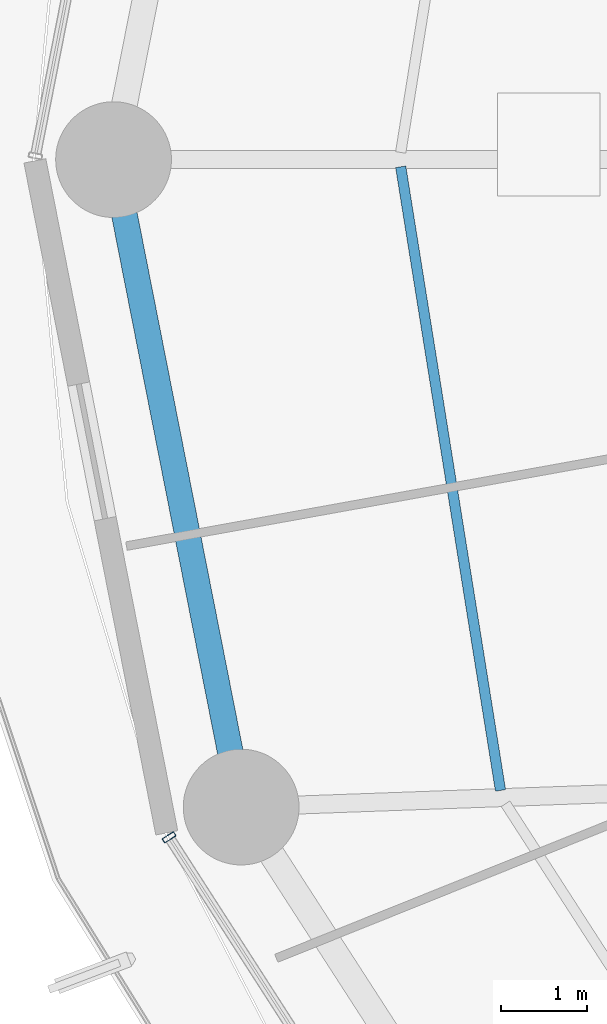
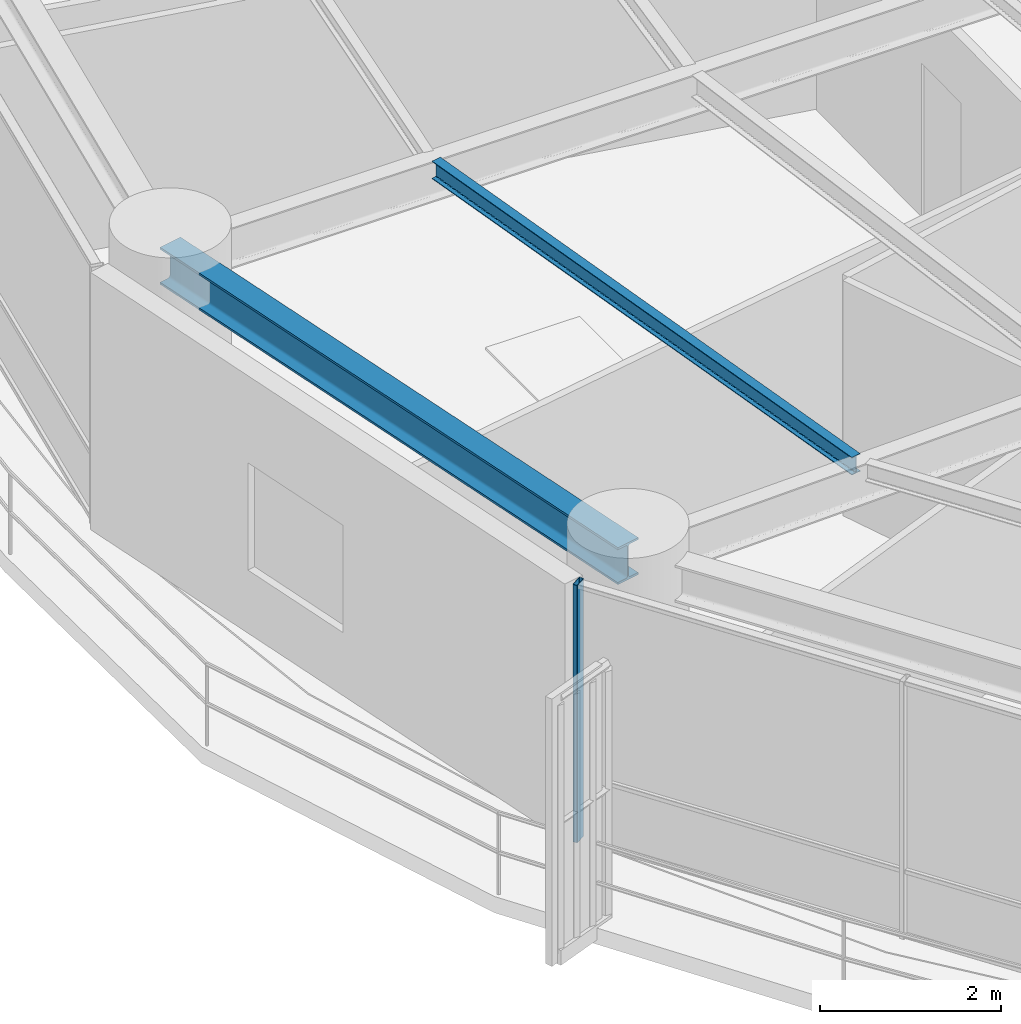
# One storey, part 6 of 35: 2 beams, 1 member, 1 element without a shape of its own.
"""IFC4 building model written with IfcOpenShell, lengths in metres."""

from ifc_helpers import new_model, si_unit, direction, frame, origin, origin_2d, place, context, subcontext, project, spatial, hollow_rectangle, i_section, extrude, material, layer, layer_set, material_profile, profile_set, type_object, element, aggregate, save


model = new_model("IFC4")

# Units and contexts
model_context = context("Model", 3, precision=1e-05, world=origin(), true_north=direction((0.0, 1.0)))
body_context = subcontext(model_context, "Body", "Model", "MODEL_VIEW")
ifc_project = project(units=[si_unit("LENGTHUNIT", "METRE"), si_unit("AREAUNIT", "SQUARE_METRE"), si_unit("VOLUMEUNIT", "CUBIC_METRE"), si_unit("PLANEANGLEUNIT", "RADIAN"), si_unit("MASSUNIT", "GRAM", prefix="KILO")], contexts=[model_context])

# Site, building, storey
site_placement = place(None, origin())
site = spatial("IfcSite", under=ifc_project, at=site_placement, CompositionType="ELEMENT")
building_placement = place(site_placement, origin())
building = spatial("IfcBuilding", under=site, at=building_placement, Name="Kelanora Arch Commons", CompositionType="ELEMENT")
storey_placement = place(building_placement, frame((0.0, 0.0, 117.60009765625)))
storey = spatial("IfcBuildingStorey", under=building, at=storey_placement, Name="L30", CompositionType="ELEMENT", Elevation=117.60009765625)

# Beams
ifc_material_1 = material(Name="Steel S355", Category="steel")
ifc_material_profile_1 = material_profile(ifc_material_1, i_section(OverallWidth=0.1201171875, OverallDepth=0.239990234375, WebThickness=0.006103515625, FlangeThickness=0.009765625, FilletRadius=0.014892578125, at=origin_2d()), Name="IPE240")
ifc_profile_set_1 = profile_set([ifc_material_profile_1], Name="Steel S355")
beam_type_1 = type_object("IfcBeamType", Name="BM-JST-02", PredefinedType="JOIST", material=ifc_profile_set_1)
beam_1_placement = place(storey_placement, frame((52.66943359375, 57.916015625, 3.369873046875), z_axis=(0.157999549894, -0.987439184068, 0.0), x_axis=(0.987439184068, 0.157999549894, 0.0)))
element("IfcBeam", 1, at=beam_1_placement, inside=storey, type_object=beam_type_1, Name="Secondary Chord Joist BJC-18 L30", PredefinedType="JOIST", context=body_context, shape_type="SweptSolid", body=[
    extrude(i_section(OverallWidth=0.1201171875, OverallDepth=0.239990234375, WebThickness=0.006103515625, FlangeThickness=0.009765625, FilletRadius=0.014892578125, at=origin_2d()), origin(), (0.0, 0.0, 1.0), 7.365966796875),
])
ifc_material_profile_2 = material_profile(ifc_material_1, i_section(OverallWidth=0.300048828125, OverallDepth=0.5, WebThickness=0.014404296875, FlangeThickness=0.028076171875, FilletRadius=0.027099609375, at=origin_2d()), Name="HEB500")
ifc_profile_set_2 = profile_set([ifc_material_profile_2], Name="Steel S355")
beam_type_2 = type_object("IfcBeamType", Name="BM-SPN-Z2", PredefinedType="SPANDREL", material=ifc_profile_set_2)
beam_2_placement = place(storey_placement, frame((49.320068359375, 58.0, 3.239990234375), z_axis=(0.19335825777, -0.981128220037, 0.0), x_axis=(0.981128220037, 0.19335825777, 0.0)))
element("IfcBeam", 2, at=beam_2_placement, inside=storey, type_object=beam_type_2, Name="Perimeter Spandrel Beam BS-18 L30", PredefinedType="SPANDREL", context=body_context, shape_type="SweptSolid", body=[
    extrude(i_section(OverallWidth=0.300048828125, OverallDepth=0.5, WebThickness=0.014404296875, FlangeThickness=0.028076171875, FilletRadius=0.027099609375, at=origin_2d()), origin(), (0.0, 0.0, 1.0), 7.697021484375),
])

# Curtain wall, member
ifc_material_2 = material(Name="Terracotta ceramic-fritted low-E glass and aluminium", Category="masonry")
ifc_layer = layer(ifc_material_2, 0.159912109375)
ifc_layer_set = layer_set([ifc_layer], Name="Terracotta ceramic-fritted low-E glass and aluminium")
curtain_wall_type = type_object("IfcCurtainWallType", Name="CW-SYS-01", PredefinedType="NOTDEFINED", material=ifc_layer_set)
curtain_wall_placement = place(storey_placement, origin())
curtain_wall = element("IfcCurtainWall", 3, at=curtain_wall_placement, inside=storey, type_object=curtain_wall_type, Name="Unitised Curtain Wall L30-B10", PredefinedType="NOTDEFINED")
ifc_material_3 = material(Name="Powder-coated aluminium terracotta", Category="masonry")
ifc_material_profile_3 = material_profile(ifc_material_3, hollow_rectangle(XDim=0.159912109375, YDim=0.06005859375, WallThickness=0.0048828125, InnerFilletRadius=0.0048828125, OuterFilletRadius=0.010009765625, at=origin_2d()), Name="CWM160x60")
ifc_profile_set_3 = profile_set([ifc_material_profile_3], Name="Powder-coated aluminium terracotta")
member_type = type_object("IfcMemberType", Name="CWM-STD", PredefinedType="MULLION", material=ifc_profile_set_3)
member_placement = place(storey_placement, frame((49.96826171875, 50.095703125, 0.0), z_axis=(0.0, 0.0, 1.0), x_axis=(0.841268883088, 0.540616931244, 0.0)))
member = element("IfcMember", 4, at=member_placement, type_object=member_type, Name="CW-01 mullion 1", PredefinedType="MULLION", context=body_context, shape_type="SweptSolid", body=[
    extrude(hollow_rectangle(XDim=0.159912109375, YDim=0.06005859375, WallThickness=0.0048828125, InnerFilletRadius=0.0048828125, OuterFilletRadius=0.010009765625, at=origin_2d()), origin(), (0.0, 0.0, 1.0), 3.474853515625),
])
aggregate(curtain_wall, [member])

save(model, "model.ifc")
